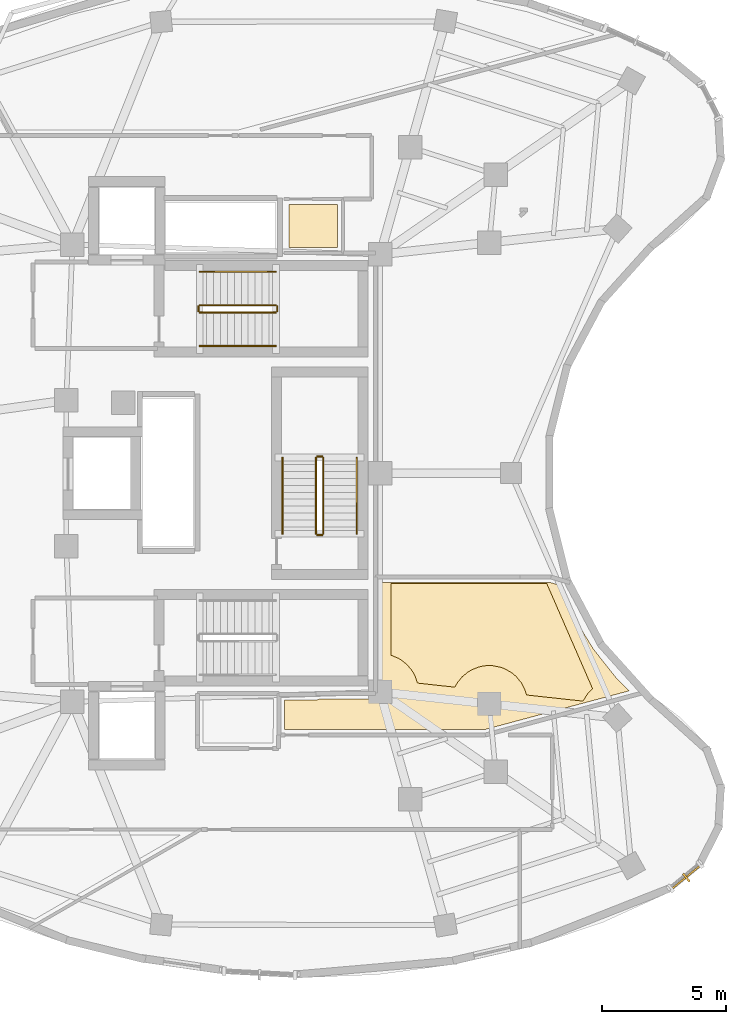
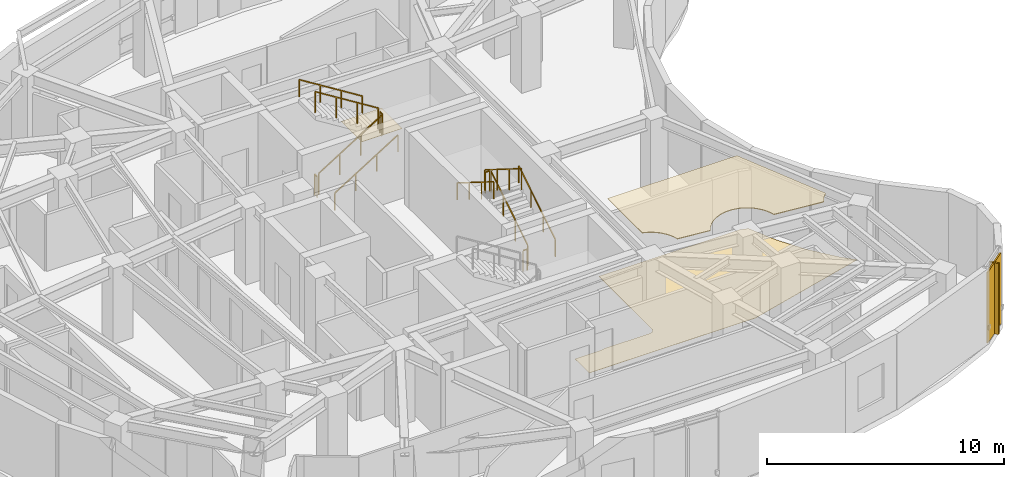
# One storey, part 12 of 13: 12 railings, 3 coverings, 2 shading devices.
"""IFC4 building model written with IfcOpenShell, lengths in metres."""

from ifc_helpers import new_model, si_unit, direction, frame, origin, origin_2d, place, context, subcontext, project, spatial, polyline, rectangle, outline, extrude, material, layer, layer_set, type_object, element, save


model = new_model("IFC4")

# Units and contexts
model_context = context("Model", 3, precision=1e-05, world=origin(), true_north=direction((0.0, 1.0)))
body_context = subcontext(model_context, "Body", "Model", "MODEL_VIEW")
ifc_project = project(units=[si_unit("LENGTHUNIT", "METRE"), si_unit("AREAUNIT", "SQUARE_METRE"), si_unit("VOLUMEUNIT", "CUBIC_METRE"), si_unit("PLANEANGLEUNIT", "RADIAN"), si_unit("MASSUNIT", "GRAM", prefix="KILO")], contexts=[model_context])

# Site, building, storey
site_placement = place(None, origin())
site = spatial("IfcSite", under=ifc_project, at=site_placement, CompositionType="ELEMENT")
building_placement = place(site_placement, origin())
building = spatial("IfcBuilding", under=site, at=building_placement, Name="Korentha Bioscience Tower", CompositionType="ELEMENT")
storey_placement = place(building_placement, frame((0.0, 0.0, 268.800048828125)))
storey = spatial("IfcBuildingStorey", under=building, at=storey_placement, Name="L62", CompositionType="ELEMENT", Elevation=268.800048828125)

# Covering
ifc_material_1 = material(Name="Vitrified Porcelain Tile", Category="ceramic")
ifc_layer_1 = layer(ifc_material_1, 0.014892578125, Name="Vitrified Porcelain Tile")
ifc_layer_set_1 = layer_set([ifc_layer_1], Name="Vitrified Porcelain Tile (FL-CER)")
covering_type_1 = type_object("IfcCoveringType", Name="Anti-Slip Ceramic Wet-Room Tile Flooring 15", PredefinedType="FLOORING", material=ifc_layer_set_1)
covering_1_placement = place(storey_placement, origin())
element("IfcCovering", 1, at=covering_1_placement, inside=storey, type_object=covering_type_1, Name="L62 Accessible Staff WC Floor Finish", PredefinedType="FLOORING", context=body_context, shape_type="SweptSolid", body=[
    extrude(outline(polyline([(33.8701171875, 36.1298828125), (33.8701171875, 37.8701171875), (35.830078125, 37.8701171875), (35.830078125, 36.1298828125), (33.8701171875, 36.1298828125)])), origin(), (0.0, 0.0, 1.0), 0.014892578125),
])

# Railings
ifc_material_2 = material(Name="Stainless Steel 304", Category="steel")
railing_type_1 = type_object("IfcRailingType", Name="Brushed Stainless Stair Handrail 900", PredefinedType="HANDRAIL", material=ifc_material_2)
railing_1_placement = place(storey_placement, frame((30.25, 32.14990234375, 0.175048828125)))
element("IfcRailing", 2, at=railing_1_placement, inside=storey, type_object=railing_type_1, Name="L62 ST-1 stair handrail 1", PredefinedType="HANDRAIL", context=body_context, shape_type="SweptSolid", body=[
    extrude(rectangle(XDim=0.048095703125, YDim=0.048095703125, at=origin_2d()), frame((0.0, 0.0, 0.8759765625), z_axis=(0.848028513186, 0.0, 0.529950602248), x_axis=(0.0, 1.0, 0.0)), (0.0, 0.0, 1.0), 3.632080078125),
    extrude(rectangle(XDim=0.0419921875, YDim=0.0419921875, at=origin_2d()), origin(), (0.0, 0.0, 1.0), 0.851806640625),
    extrude(rectangle(XDim=0.0419921875, YDim=0.0419921875, at=origin_2d()), frame((1.026611328125, 0.0, 0.6416015625)), (0.0, 0.0, 1.0), 0.851806640625),
    extrude(rectangle(XDim=0.0419921875, YDim=0.0419921875, at=origin_2d()), frame((2.053466796875, 0.0, 1.283203125)), (0.0, 0.0, 1.0), 0.851806640625),
    extrude(rectangle(XDim=0.0419921875, YDim=0.0419921875, at=origin_2d()), frame((3.080078125, 0.0, 1.9248046875)), (0.0, 0.0, 1.0), 0.851806640625),
])
railing_2_placement = place(storey_placement, frame((33.330078125, 35.14990234375, 2.27490234375)))
element("IfcRailing", 3, at=railing_2_placement, inside=storey, type_object=railing_type_1, Name="L62 ST-1 stair handrail 2", PredefinedType="HANDRAIL", context=body_context, shape_type="SweptSolid", body=[
    extrude(rectangle(XDim=0.048095703125, YDim=0.048095703125, at=origin_2d()), frame((0.0, 0.0, 0.8759765625), z_axis=(-0.847998304005, 0.0, 0.529998940003), x_axis=(0.0, -1.0, 0.0)), (0.0, 0.0, 1.0), 3.632080078125),
    extrude(rectangle(XDim=0.0419921875, YDim=0.0419921875, at=origin_2d()), origin(), (0.0, 0.0, 1.0), 0.851806640625),
    extrude(rectangle(XDim=0.0419921875, YDim=0.0419921875, at=origin_2d()), frame((-1.026611328125, 0.0, 0.6416015625)), (0.0, 0.0, 1.0), 0.851806640625),
    extrude(rectangle(XDim=0.0419921875, YDim=0.0419921875, at=origin_2d()), frame((-2.053466796875, 0.0, 1.283447265625)), (0.0, 0.0, 1.0), 0.851806640625),
    extrude(rectangle(XDim=0.0419921875, YDim=0.0419921875, at=origin_2d()), frame((-3.080078125, 0.0, 1.925048828125)), (0.0, 0.0, 1.0), 0.851806640625),
])
railing_3_placement = place(storey_placement, frame((36.60009765625, 24.550048828125, 0.175048828125)))
element("IfcRailing", 4, at=railing_3_placement, inside=storey, type_object=railing_type_1, Name="L62 ST-3 stair handrail 1", PredefinedType="HANDRAIL", context=body_context, shape_type="SweptSolid", body=[
    extrude(rectangle(XDim=0.048095703125, YDim=0.048095703125, at=origin_2d()), frame((0.0, 0.0, 0.8759765625), z_axis=(0.0, 0.848009633417, 0.529980812513), x_axis=(-1.0, 0.0, 0.0)), (0.0, 0.0, 1.0), 3.6318359375),
    extrude(rectangle(XDim=0.0419921875, YDim=0.0419921875, at=origin_2d()), origin(), (0.0, 0.0, 1.0), 0.851806640625),
    extrude(rectangle(XDim=0.0419921875, YDim=0.0419921875, at=origin_2d()), frame((0.0, 1.026611328125, 0.6416015625)), (0.0, 0.0, 1.0), 0.851806640625),
    extrude(rectangle(XDim=0.0419921875, YDim=0.0419921875, at=origin_2d()), frame((0.0, 2.05322265625, 1.283203125)), (0.0, 0.0, 1.0), 0.851806640625),
    extrude(rectangle(XDim=0.0419921875, YDim=0.0419921875, at=origin_2d()), frame((0.0, 3.079833984375, 1.9248046875)), (0.0, 0.0, 1.0), 0.851806640625),
])
railing_4_placement = place(storey_placement, frame((33.60009765625, 27.6298828125, 2.27490234375)))
element("IfcRailing", 5, at=railing_4_placement, inside=storey, type_object=railing_type_1, Name="L62 ST-3 stair handrail 2", PredefinedType="HANDRAIL", context=body_context, shape_type="SweptSolid", body=[
    extrude(rectangle(XDim=0.048095703125, YDim=0.048095703125, at=origin_2d()), frame((0.0, 0.0, 0.8759765625), z_axis=(0.0, -0.847979421464, 0.530029150871), x_axis=(1.0, 0.0, 0.0)), (0.0, 0.0, 1.0), 3.632080078125),
    extrude(rectangle(XDim=0.0419921875, YDim=0.0419921875, at=origin_2d()), origin(), (0.0, 0.0, 1.0), 0.851806640625),
    extrude(rectangle(XDim=0.0419921875, YDim=0.0419921875, at=origin_2d()), frame((0.0, -1.026611328125, 0.6416015625)), (0.0, 0.0, 1.0), 0.851806640625),
    extrude(rectangle(XDim=0.0419921875, YDim=0.0419921875, at=origin_2d()), frame((0.0, -2.05322265625, 1.283447265625)), (0.0, 0.0, 1.0), 0.851806640625),
    extrude(rectangle(XDim=0.0419921875, YDim=0.0419921875, at=origin_2d()), frame((0.0, -3.079833984375, 1.925048828125)), (0.0, 0.0, 1.0), 0.851806640625),
])

# Covering
ifc_material_3 = material(Name="Antimicrobial Mineral Fibre Board", Category="gypsum")
ifc_layer_2 = layer(ifc_material_3, 0.034912109375, Name="Antimicrobial Mineral Fibre Board")
ifc_layer_set_2 = layer_set([ifc_layer_2], Name="Antimicrobial Mineral Fibre Board (CL-MF35)")
covering_type_2 = type_object("IfcCoveringType", Name="Mineral-Fibre Cleanroom Suspended Ceiling 35", PredefinedType="CEILING", material=ifc_layer_set_2)
covering_2_placement = place(storey_placement, frame((0.0, 0.0, 3.864990234375)))
element("IfcCovering", 6, at=covering_2_placement, inside=storey, type_object=covering_type_2, Name="L62 Biospecimen Archive Store 03 Acoustic Ceiling", PredefinedType="CEILING", context=body_context, shape_type="SweptSolid", body=[
    extrude(outline(polyline([(37.989990234375, 22.548095703125), (44.283447265625, 22.5478515625), (46.141357421875, 18.28369140625), (45.947265625, 18.087890625), (45.752197265625, 17.779296875), (43.469970703125, 18.028076171875), (43.39599609375, 18.26220703125), (43.252685546875, 18.5302734375), (43.059814453125, 18.76513671875), (42.947265625, 18.8671875), (42.824951171875, 18.9580078125), (42.55712890625, 19.10107421875), (42.413818359375, 19.15234375), (42.11572265625, 19.211669921875), (41.81201171875, 19.211669921875), (41.66162109375, 19.189208984375), (41.513916015625, 19.15234375), (41.233154296875, 19.0361328125), (41.102783203125, 18.9580078125), (40.867919921875, 18.76513671875), (40.675048828125, 18.5302734375), (40.570556640625, 18.343994140625), (39.055908203125, 18.509033203125), (38.98193359375, 18.7431640625), (38.9169921875, 18.880615234375), (38.8388671875, 19.010986328125), (38.64599609375, 19.24609375), (38.4111328125, 19.438720703125), (38.28076171875, 19.51708984375), (37.989990234375, 19.6357421875), (37.989990234375, 22.548095703125)])), origin(), (0.0, 0.0, 1.0), 0.034912109375),
])

# Railings
ifc_material_4 = material(Name="Painted Steel S275", Category="steel")
railing_type_2 = type_object("IfcRailingType", Name="Painted Steel Stair Well Guardrail 1100", PredefinedType="GUARDRAIL", material=ifc_material_4)
railing_5_placement = place(storey_placement, frame((30.25, 33.5, 0.175048828125)))
element("IfcRailing", 7, at=railing_5_placement, inside=storey, type_object=railing_type_2, Name="L62 ST-1 stair guard 1", PredefinedType="GUARDRAIL", context=body_context, shape_type="SweptSolid", body=[
    extrude(rectangle(XDim=0.048095703125, YDim=0.048095703125, at=origin_2d()), frame((0.0, 0.0, 1.076171875), z_axis=(0.848028513186, 0.0, 0.529950602248), x_axis=(0.0, 1.0, 0.0)), (0.0, 0.0, 1.0), 3.632080078125),
    extrude(rectangle(XDim=0.0419921875, YDim=0.0419921875, at=origin_2d()), origin(), (0.0, 0.0, 1.0), 1.052001953125),
    extrude(rectangle(XDim=0.0419921875, YDim=0.0419921875, at=origin_2d()), frame((1.026611328125, 0.0, 0.6416015625)), (0.0, 0.0, 1.0), 1.052001953125),
    extrude(rectangle(XDim=0.0419921875, YDim=0.0419921875, at=origin_2d()), frame((2.053466796875, 0.0, 1.283203125)), (0.0, 0.0, 1.0), 1.052001953125),
    extrude(rectangle(XDim=0.0419921875, YDim=0.0419921875, at=origin_2d()), frame((3.080078125, 0.0, 1.9248046875)), (0.0, 0.0, 1.0), 1.052001953125),
])
railing_6_placement = place(storey_placement, frame((33.3798828125, 33.550048828125, 2.099853515625)))
element("IfcRailing", 8, at=railing_6_placement, inside=storey, type_object=railing_type_2, Name="L62 ST-1 stair guard 2", PredefinedType="GUARDRAIL", context=body_context, shape_type="SweptSolid", body=[
    extrude(rectangle(XDim=0.048095703125, YDim=0.048095703125, at=origin_2d()), frame((0.0, 0.0, 1.076171875), z_axis=(0.0, 1.0, 0.0), x_axis=(-1.0, 0.0, 0.0)), (0.0, 0.0, 1.0), 0.199951171875),
    extrude(rectangle(XDim=0.0419921875, YDim=0.0419921875, at=origin_2d()), origin(), (0.0, 0.0, 1.0), 1.052001953125),
    extrude(rectangle(XDim=0.0419921875, YDim=0.0419921875, at=origin_2d()), frame((0.0, 0.199951171875, 0.0)), (0.0, 0.0, 1.0), 1.052001953125),
])
railing_7_placement = place(storey_placement, frame((33.330078125, 33.800048828125, 2.27490234375)))
element("IfcRailing", 9, at=railing_7_placement, inside=storey, type_object=railing_type_2, Name="L62 ST-1 stair guard 3", PredefinedType="GUARDRAIL", context=body_context, shape_type="SweptSolid", body=[
    extrude(rectangle(XDim=0.048095703125, YDim=0.048095703125, at=origin_2d()), frame((0.0, 0.0, 1.076171875), z_axis=(-0.847998304005, 0.0, 0.529998940003), x_axis=(0.0, -1.0, 0.0)), (0.0, 0.0, 1.0), 3.632080078125),
    extrude(rectangle(XDim=0.0419921875, YDim=0.0419921875, at=origin_2d()), origin(), (0.0, 0.0, 1.0), 1.052001953125),
    extrude(rectangle(XDim=0.0419921875, YDim=0.0419921875, at=origin_2d()), frame((-1.026611328125, 0.0, 0.6416015625)), (0.0, 0.0, 1.0), 1.052001953125),
    extrude(rectangle(XDim=0.0419921875, YDim=0.0419921875, at=origin_2d()), frame((-2.053466796875, 0.0, 1.283447265625)), (0.0, 0.0, 1.0), 1.052001953125),
    extrude(rectangle(XDim=0.0419921875, YDim=0.0419921875, at=origin_2d()), frame((-3.080078125, 0.0, 1.925048828125)), (0.0, 0.0, 1.0), 1.052001953125),
])
railing_8_placement = place(storey_placement, frame((30.199951171875, 33.550048828125, 0.0)))
element("IfcRailing", 10, at=railing_8_placement, inside=storey, type_object=railing_type_2, Name="L62 ST-1 stair guard 4", PredefinedType="GUARDRAIL", context=body_context, shape_type="SweptSolid", body=[
    extrude(rectangle(XDim=0.048095703125, YDim=0.048095703125, at=origin_2d()), frame((0.0, 0.0, 1.076171875), z_axis=(0.0, 1.0, 0.0), x_axis=(-1.0, 0.0, 0.0)), (0.0, 0.0, 1.0), 0.199951171875),
    extrude(rectangle(XDim=0.0419921875, YDim=0.0419921875, at=origin_2d()), origin(), (0.0, 0.0, 1.0), 1.052001953125),
    extrude(rectangle(XDim=0.0419921875, YDim=0.0419921875, at=origin_2d()), frame((0.0, 0.199951171875, 0.0)), (0.0, 0.0, 1.0), 1.052001953125),
])
railing_9_placement = place(storey_placement, frame((35.25, 24.550048828125, 0.175048828125)))
element("IfcRailing", 11, at=railing_9_placement, inside=storey, type_object=railing_type_2, Name="L62 ST-3 stair guard 1", PredefinedType="GUARDRAIL", context=body_context, shape_type="SweptSolid", body=[
    extrude(rectangle(XDim=0.048095703125, YDim=0.048095703125, at=origin_2d()), frame((0.0, 0.0, 1.076171875), z_axis=(0.0, 0.848009633417, 0.529980812513), x_axis=(-1.0, 0.0, 0.0)), (0.0, 0.0, 1.0), 3.6318359375),
    extrude(rectangle(XDim=0.0419921875, YDim=0.0419921875, at=origin_2d()), origin(), (0.0, 0.0, 1.0), 1.052001953125),
    extrude(rectangle(XDim=0.0419921875, YDim=0.0419921875, at=origin_2d()), frame((0.0, 1.026611328125, 0.6416015625)), (0.0, 0.0, 1.0), 1.052001953125),
    extrude(rectangle(XDim=0.0419921875, YDim=0.0419921875, at=origin_2d()), frame((0.0, 2.05322265625, 1.283203125)), (0.0, 0.0, 1.0), 1.052001953125),
    extrude(rectangle(XDim=0.0419921875, YDim=0.0419921875, at=origin_2d()), frame((0.0, 3.079833984375, 1.9248046875)), (0.0, 0.0, 1.0), 1.052001953125),
])
railing_10_placement = place(storey_placement, frame((35.199951171875, 27.679931640625, 2.099853515625)))
element("IfcRailing", 12, at=railing_10_placement, inside=storey, type_object=railing_type_2, Name="L62 ST-3 stair guard 2", PredefinedType="GUARDRAIL", context=body_context, shape_type="SweptSolid", body=[
    extrude(rectangle(XDim=0.048095703125, YDim=0.048095703125, at=origin_2d()), frame((0.0, 0.0, 1.076171875), z_axis=(-1.0, 0.0, 0.0), x_axis=(0.0, -1.0, 0.0)), (0.0, 0.0, 1.0), 0.199951171875),
    extrude(rectangle(XDim=0.0419921875, YDim=0.0419921875, at=origin_2d()), origin(), (0.0, 0.0, 1.0), 1.052001953125),
    extrude(rectangle(XDim=0.0419921875, YDim=0.0419921875, at=origin_2d()), frame((-0.199951171875, 0.0, 0.0)), (0.0, 0.0, 1.0), 1.052001953125),
])
railing_11_placement = place(storey_placement, frame((34.949951171875, 27.6298828125, 2.27490234375)))
element("IfcRailing", 13, at=railing_11_placement, inside=storey, type_object=railing_type_2, Name="L62 ST-3 stair guard 3", PredefinedType="GUARDRAIL", context=body_context, shape_type="SweptSolid", body=[
    extrude(rectangle(XDim=0.048095703125, YDim=0.048095703125, at=origin_2d()), frame((0.0, 0.0, 1.076171875), z_axis=(0.0, -0.847979421464, 0.530029150871), x_axis=(1.0, 0.0, 0.0)), (0.0, 0.0, 1.0), 3.632080078125),
    extrude(rectangle(XDim=0.0419921875, YDim=0.0419921875, at=origin_2d()), origin(), (0.0, 0.0, 1.0), 1.052001953125),
    extrude(rectangle(XDim=0.0419921875, YDim=0.0419921875, at=origin_2d()), frame((0.0, -1.026611328125, 0.6416015625)), (0.0, 0.0, 1.0), 1.052001953125),
    extrude(rectangle(XDim=0.0419921875, YDim=0.0419921875, at=origin_2d()), frame((0.0, -2.05322265625, 1.283447265625)), (0.0, 0.0, 1.0), 1.052001953125),
    extrude(rectangle(XDim=0.0419921875, YDim=0.0419921875, at=origin_2d()), frame((0.0, -3.079833984375, 1.925048828125)), (0.0, 0.0, 1.0), 1.052001953125),
])
railing_12_placement = place(storey_placement, frame((35.199951171875, 24.5, 0.0)))
element("IfcRailing", 14, at=railing_12_placement, inside=storey, type_object=railing_type_2, Name="L62 ST-3 stair guard 4", PredefinedType="GUARDRAIL", context=body_context, shape_type="SweptSolid", body=[
    extrude(rectangle(XDim=0.048095703125, YDim=0.048095703125, at=origin_2d()), frame((0.0, 0.0, 1.076171875), z_axis=(-1.0, 0.0, 0.0), x_axis=(0.0, -1.0, 0.0)), (0.0, 0.0, 1.0), 0.199951171875),
    extrude(rectangle(XDim=0.0419921875, YDim=0.0419921875, at=origin_2d()), origin(), (0.0, 0.0, 1.0), 1.052001953125),
    extrude(rectangle(XDim=0.0419921875, YDim=0.0419921875, at=origin_2d()), frame((-0.199951171875, 0.0, 0.0)), (0.0, 0.0, 1.0), 1.052001953125),
])

# Shading device
ifc_material_5 = material(Name="Perforated Stone-Ceramic Composite", Category="masonry")
ifc_layer_3 = layer(ifc_material_5, 0.06494140625, Name="Perforated Stone-Ceramic Composite")
ifc_layer_set_3 = layer_set([ifc_layer_3], Name="Perforated Stone-Ceramic Composite (CS-01)")
shading_device_type_1 = type_object("IfcShadingDeviceType", Name="Perforated Stone-Ceramic Solar Screen Panel 65", PredefinedType="USERDEFINED", material=ifc_layer_set_3)
shading_device_1_placement = place(storey_placement, frame((49.923095703125, 10.65478515625, 0.0), z_axis=(0.0, 0.0, 1.0), x_axis=(0.774235415138, 0.632897718393, 0.0)))
element("IfcShadingDevice", 15, at=shading_device_1_placement, inside=storey, type_object=shading_device_type_1, Name="CW-L62-37 Perforated Stone-Ceramic Solar Screen", ObjectType="SCREEN", PredefinedType="USERDEFINED", context=body_context, shape_type="SweptSolid", body=[
    extrude(rectangle(XDim=1.581787109375, YDim=0.06494140625, at=origin_2d()), origin(), (0.0, 0.0, 1.0), 3.64990234375),
])

# Covering
ifc_material_6 = material(Name="Chemical-Resistant Epoxy Resin", Category="polymer")
ifc_layer_4 = layer(ifc_material_6, 0.011962890625, Name="Chemical-Resistant Epoxy Resin")
ifc_layer_set_4 = layer_set([ifc_layer_4], Name="Chemical-Resistant Epoxy Resin (FL-EPX)")
covering_type_3 = type_object("IfcCoveringType", Name="Seamless Epoxy Laboratory Flooring 12", PredefinedType="FLOORING", material=ifc_layer_set_4)
covering_3_placement = place(storey_placement, origin())
element("IfcCovering", 16, at=covering_3_placement, inside=storey, type_object=covering_type_3, Name="L62 Biospecimen Archive Store 03 Floor Finish", PredefinedType="FLOORING", context=body_context, shape_type="SweptSolid", body=[
    extrude(outline(polyline([(34.982421875, 17.828125), (35.107177734375, 17.8701171875), (37.36181640625, 17.870361328125), (37.46875, 17.903076171875), (37.547607421875, 17.982177734375), (37.580078125, 18.10009765625), (37.580078125, 22.577880859375), (44.431396484375, 22.577880859375), (44.797607421875, 22.470458984375), (45.406982421875, 21.13916015625), (46.17919921875, 19.878662109375), (47.123291015625, 18.68701171875), (47.619384765625, 18.195068359375), (41.77880859375, 16.6298828125), (33.679931640625, 16.6298828125), (33.679931640625, 17.827880859375), (34.982421875, 17.828125)])), origin(), (0.0, 0.0, 1.0), 0.011962890625),
])

# Shading device
ifc_material_7 = material(Name="Honed Travertine Limestone", Category="masonry")
ifc_layer_5 = layer(ifc_material_7, 0.080078125, Name="Honed Travertine Limestone")
ifc_layer_set_5 = layer_set([ifc_layer_5], Name="Honed Travertine Limestone (CS-02)")
shading_device_type_2 = type_object("IfcShadingDeviceType", Name="Vertical Honed Limestone Sunshade Fin 80x420", PredefinedType="USERDEFINED", material=ifc_layer_set_5)
shading_device_2_placement = place(storey_placement, frame((49.935791015625, 10.63916015625, 0.0), z_axis=(0.0, 0.0, 1.0), x_axis=(0.774235415138, 0.632897718393, 0.0)))
element("IfcShadingDevice", 17, at=shading_device_2_placement, inside=storey, type_object=shading_device_type_2, Name="CW-L62-37 Limestone Sunshade Fin", ObjectType="SCREEN", PredefinedType="USERDEFINED", context=body_context, shape_type="SweptSolid", body=[
    extrude(rectangle(XDim=0.080078125, YDim=0.419921875, at=origin_2d()), origin(), (0.0, 0.0, 1.0), 3.64990234375),
])

save(model, "model.ifc")
